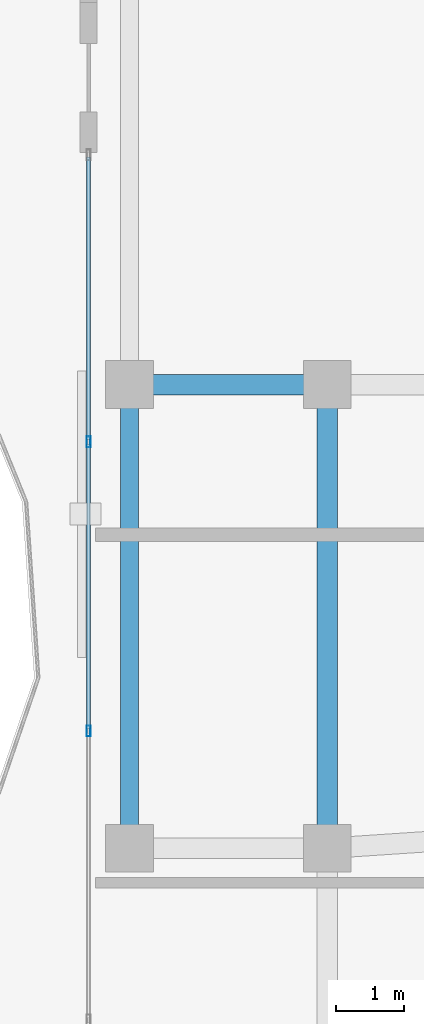
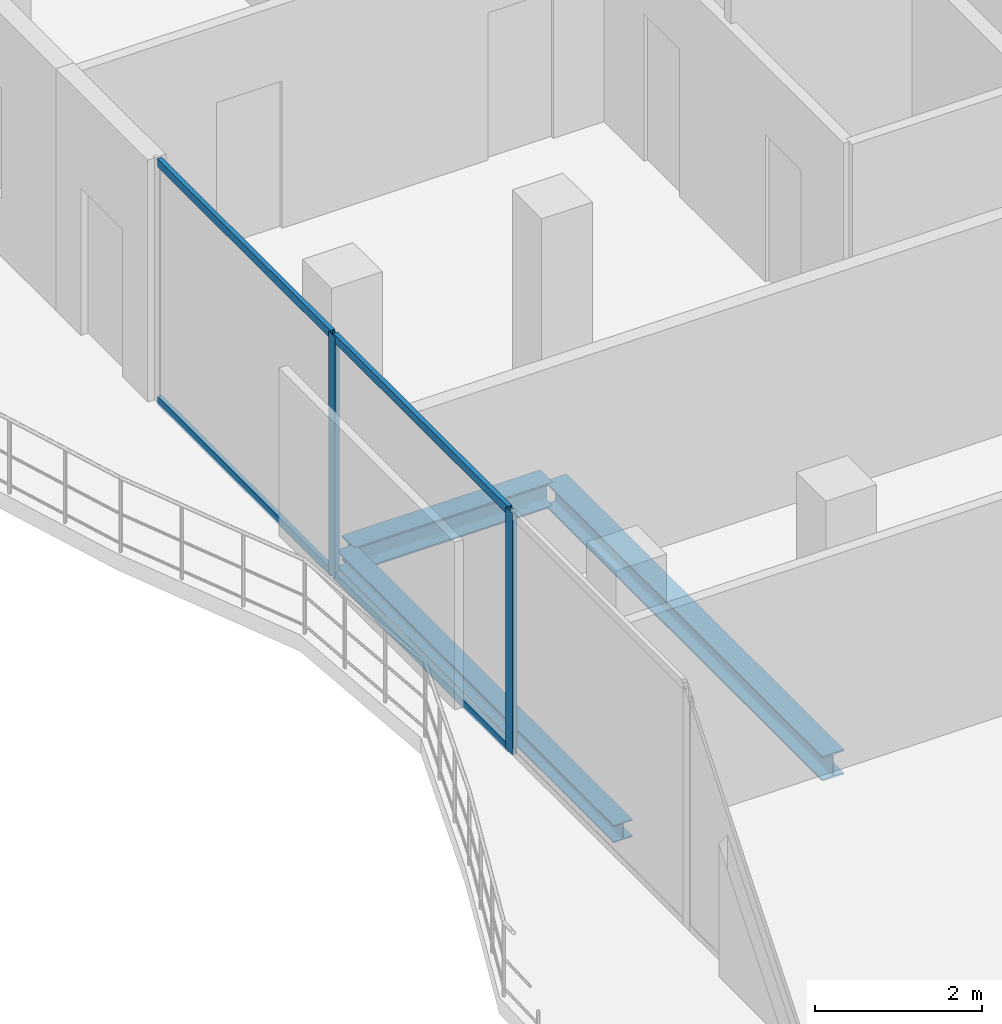
# One storey, part 10 of 23: 6 members, 3 beams, 1 element without a shape of its own.
"""IFC4 building model written with IfcOpenShell, lengths in metres."""

from ifc_helpers import new_model, si_unit, direction, frame, origin, origin_2d, place, context, subcontext, project, spatial, hollow_rectangle, i_section, extrude, material, layer, layer_set, material_profile, profile_set, type_object, element, aggregate, save


model = new_model("IFC4")

# Units and contexts
model_context = context("Model", 3, precision=1e-05, world=origin(), true_north=direction((0.0, 1.0)))
body_context = subcontext(model_context, "Body", "Model", "MODEL_VIEW")
ifc_project = project(units=[si_unit("LENGTHUNIT", "METRE"), si_unit("AREAUNIT", "SQUARE_METRE"), si_unit("VOLUMEUNIT", "CUBIC_METRE"), si_unit("PLANEANGLEUNIT", "RADIAN"), si_unit("MASSUNIT", "GRAM", prefix="KILO")], contexts=[model_context])

# Site, building, storey
site_placement = place(None, origin())
site = spatial("IfcSite", under=ifc_project, at=site_placement, CompositionType="ELEMENT")
building_placement = place(site_placement, origin())
building = spatial("IfcBuilding", under=site, at=building_placement, Name="Catumbela Crestline Tower", CompositionType="ELEMENT")
storey_placement = place(building_placement, frame((0.0, 0.0, 252.6)))
storey = spatial("IfcBuildingStorey", under=building, at=storey_placement, Name="L65", CompositionType="ELEMENT", Elevation=252.6)

# Beams
ifc_material_1 = material(Name="Structural steel S355J2", Category="steel")
ifc_material_profile_1 = material_profile(ifc_material_1, i_section(OverallWidth=0.3, OverallDepth=0.36, WebThickness=0.0125, FlangeThickness=0.0225, FilletRadius=0.027, at=origin_2d()), Name="HEB 360")
ifc_profile_set_1 = profile_set([ifc_material_profile_1], Name="Structural steel S355J2")
beam_type_1 = type_object("IfcBeamType", Name="BG-HEB360", PredefinedType="BEAM", material=ifc_profile_set_1)
beam_1_placement = place(storey_placement, frame((5.68, 30.8, -0.44), z_axis=(1.0, 0.0, 0.0), x_axis=(0.0, 1.0, 0.0)))
element("IfcBeam", 1, at=beam_1_placement, inside=storey, type_object=beam_type_1, Name="L65 Beam BM-L65-M06", PredefinedType="BEAM", context=body_context, shape_type="SweptSolid", body=[
    extrude(i_section(OverallWidth=0.3, OverallDepth=0.36, WebThickness=0.0125, FlangeThickness=0.0225, FilletRadius=0.027, at=origin_2d()), origin(), (0.0, 0.0, 1.0), 2.74),
])
beam_2_placement = place(storey_placement, frame((8.5, 24.08, -0.44), z_axis=(0.0, 1.0, 0.0), x_axis=(-1.0, 0.0, 0.0)))
element("IfcBeam", 2, at=beam_2_placement, inside=storey, type_object=beam_type_1, Name="L65 Beam BM-L65-SN14", PredefinedType="BEAM", context=body_context, shape_type="SweptSolid", body=[
    extrude(i_section(OverallWidth=0.3, OverallDepth=0.36, WebThickness=0.0125, FlangeThickness=0.0225, FilletRadius=0.027, at=origin_2d()), origin(), (0.0, 0.0, 1.0), 6.64),
])

# Curtain wall, members
ifc_material_2 = material(Name="Aluminium alloy AW-6060-T66", Category="aluminium")
ifc_layer = layer(ifc_material_2, 0.18, Name="Aluminium alloy AW-6060-T66")
ifc_layer_set = layer_set([ifc_layer], Name="Aluminium alloy AW-6060-T66")
curtain_wall_type = type_object("IfcCurtainWallType", Name="CWU-Z4", PredefinedType="USERDEFINED", material=ifc_layer_set)
curtain_wall_placement = place(storey_placement, origin())
curtain_wall = element("IfcCurtainWall", 3, at=curtain_wall_placement, inside=storey, type_object=curtain_wall_type, Name="L65 Unitised Curtain Wall CW-L65-E9S2", ObjectType="UNITISED", PredefinedType="USERDEFINED")
ifc_material_profile_2 = material_profile(ifc_material_2, hollow_rectangle(XDim=0.06, YDim=0.16, WallThickness=0.004, at=origin_2d()), Name="ALU 160x60x4")
ifc_profile_set_2 = profile_set([ifc_material_profile_2], Name="Aluminium alloy AW-6060-T66")
member_type_1 = type_object("IfcMemberType", Name="MUL-160X60", PredefinedType="MULLION", material=ifc_profile_set_2)
member_1_placement = place(storey_placement, frame((5.0, 29.96, 0.0), z_axis=(0.0, 0.0, 1.0), x_axis=(1.0, 0.0, 0.0)))
member_1 = element("IfcMember", 4, at=member_1_placement, type_object=member_type_1, Name="CWU-Z4 mullion 2", PredefinedType="MULLION", context=body_context, shape_type="SweptSolid", body=[
    extrude(hollow_rectangle(XDim=0.06, YDim=0.16, WallThickness=0.004, at=origin_2d()), origin(), (0.0, 0.0, 1.0), 3.53),
])
member_2_placement = place(storey_placement, frame((5.0, 25.72, 0.0), z_axis=(0.0, 0.0, 1.0), x_axis=(1.0, 0.0, 0.0)))
member_2 = element("IfcMember", 5, at=member_2_placement, type_object=member_type_1, Name="CWU-Z4 mullion 3", PredefinedType="MULLION", context=body_context, shape_type="SweptSolid", body=[
    extrude(hollow_rectangle(XDim=0.06, YDim=0.16, WallThickness=0.004, at=origin_2d()), origin(), (0.0, 0.0, 1.0), 3.53),
])

# Beam
ifc_material_profile_3 = material_profile(ifc_material_1, i_section(OverallWidth=0.26, OverallDepth=0.25, WebThickness=0.0075, FlangeThickness=0.0125, FilletRadius=0.024, at=origin_2d()), Name="HEA 260")
ifc_profile_set_3 = profile_set([ifc_material_profile_3], Name="Structural steel S355J2")
beam_type_2 = type_object("IfcBeamType", Name="BS-HEA260", PredefinedType="SPANDREL", material=ifc_profile_set_3)
beam_3_placement = place(storey_placement, frame((5.6, 24.08, -0.385), z_axis=(0.0, 1.0, 0.0), x_axis=(-1.0, 0.0, 0.0)))
element("IfcBeam", 6, at=beam_3_placement, inside=storey, type_object=beam_type_2, Name="L65 Spandrel SP-L65-SN12", PredefinedType="SPANDREL", context=body_context, shape_type="SweptSolid", body=[
    extrude(i_section(OverallWidth=0.26, OverallDepth=0.25, WebThickness=0.0075, FlangeThickness=0.0125, FilletRadius=0.024, at=origin_2d()), origin(), (0.0, 0.0, 1.0), 6.64),
])

# Member
ifc_material_profile_4 = material_profile(ifc_material_2, hollow_rectangle(XDim=0.06, YDim=0.12, WallThickness=0.0035, at=origin_2d()), Name="ALU 120x60x3.5")
ifc_profile_set_4 = profile_set([ifc_material_profile_4], Name="Aluminium alloy AW-6060-T66")
member_type_2 = type_object("IfcMemberType", Name="TRN-120X60", PredefinedType="USERDEFINED", material=ifc_profile_set_4)
member_3_placement = place(storey_placement, frame((5.0, 34.135, 0.03), z_axis=(0.0, -1.0, 0.0), x_axis=(1.0, 0.0, 0.0)))
member_3 = element("IfcMember", 7, at=member_3_placement, type_object=member_type_2, Name="CWU-Z4 transom 1.1", ObjectType="TRANSOM", PredefinedType="USERDEFINED", context=body_context, shape_type="SweptSolid", body=[
    extrude(hollow_rectangle(XDim=0.06, YDim=0.12, WallThickness=0.0035, at=origin_2d()), origin(), (0.0, 0.0, 1.0), 4.1425),
])

member_4_placement = place(storey_placement, frame((5.0, 34.135, 3.5), z_axis=(0.0, -1.0, 0.0), x_axis=(1.0, 0.0, 0.0)))
member_4 = element("IfcMember", 8, at=member_4_placement, type_object=member_type_2, Name="CWU-Z4 transom 1.2", ObjectType="TRANSOM", PredefinedType="USERDEFINED", context=body_context, shape_type="SweptSolid", body=[
    extrude(hollow_rectangle(XDim=0.06, YDim=0.12, WallThickness=0.0035, at=origin_2d()), origin(), (0.0, 0.0, 1.0), 4.1425),
])

member_5_placement = place(storey_placement, frame((5.0, 29.9275, 0.03), z_axis=(0.0, -1.0, 0.0), x_axis=(1.0, 0.0, 0.0)))
member_5 = element("IfcMember", 9, at=member_5_placement, type_object=member_type_2, Name="CWU-Z4 transom 2.1", ObjectType="TRANSOM", PredefinedType="USERDEFINED", context=body_context, shape_type="SweptSolid", body=[
    extrude(hollow_rectangle(XDim=0.06, YDim=0.12, WallThickness=0.0035, at=origin_2d()), origin(), (0.0, 0.0, 1.0), 4.175),
])

member_6_placement = place(storey_placement, frame((5.0, 29.9275, 3.5), z_axis=(0.0, -1.0, 0.0), x_axis=(1.0, 0.0, 0.0)))
member_6 = element("IfcMember", 10, at=member_6_placement, type_object=member_type_2, Name="CWU-Z4 transom 2.2", ObjectType="TRANSOM", PredefinedType="USERDEFINED", context=body_context, shape_type="SweptSolid", body=[
    extrude(hollow_rectangle(XDim=0.06, YDim=0.12, WallThickness=0.0035, at=origin_2d()), origin(), (0.0, 0.0, 1.0), 4.175),
])

aggregate(curtain_wall, [member_1, member_2, member_3, member_4, member_5, member_6])

save(model, "model.ifc")
